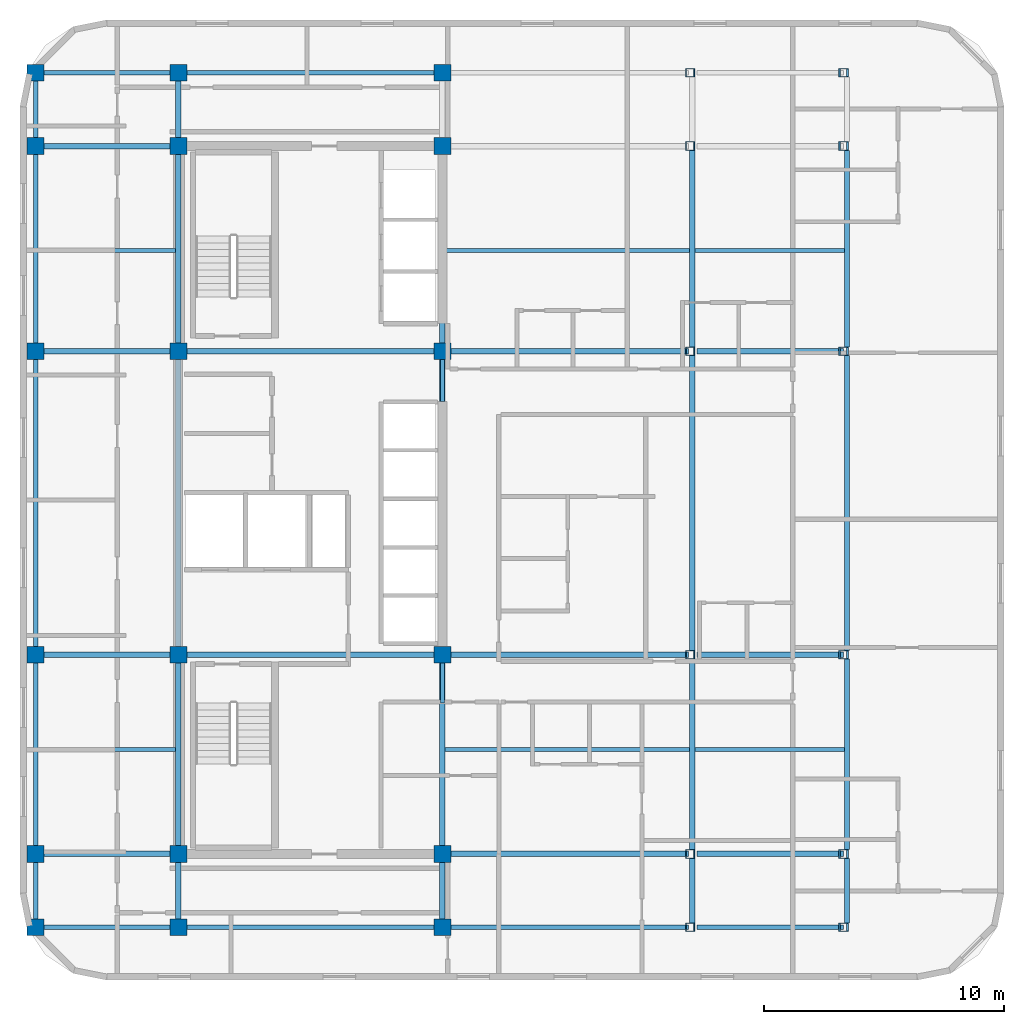
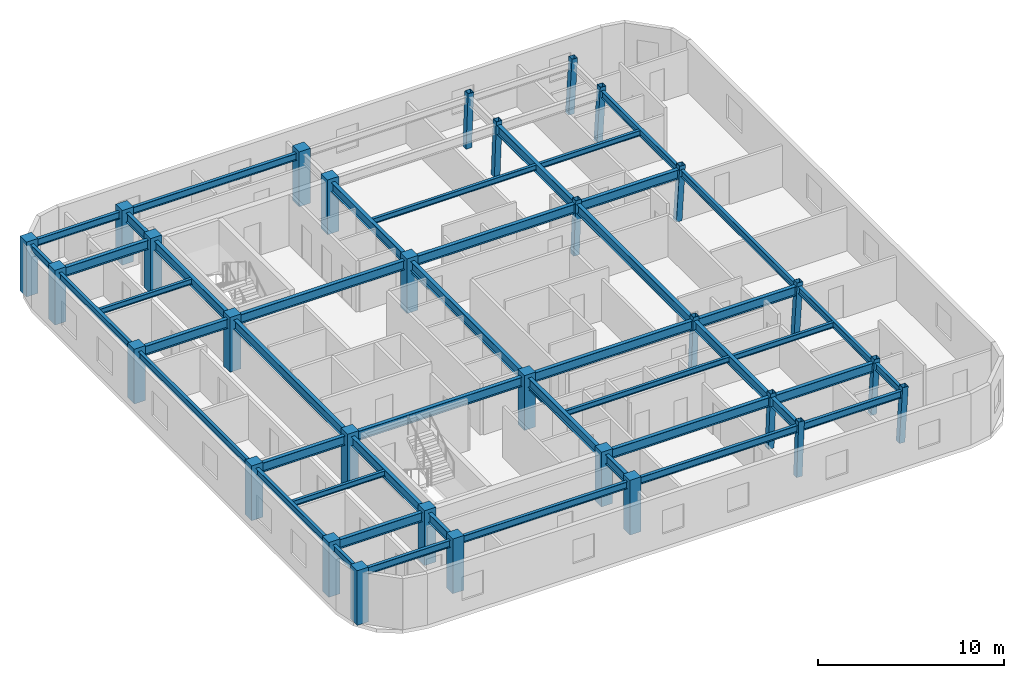
# One storey, part 1 of 8: 48 beams, 30 columns.
"""IFC4 building model written with IfcOpenShell, lengths in metres."""

import ifcopenshell
import ifcopenshell.guid

model = None  # the IFC model being written
_history = None  # IfcOwnerHistory: only IFC2X3 demands one
_inside = {}  # id of a spatial element -> (the spatial element, [elements in it])
_under = {}  # id of a project, library or spatial element -> (it, [spatial elements below it])
_declared = {}  # id of a project -> (the project, [libraries it declares])
_typed = {}  # id of a type object -> (the type object, [elements of that type])
_made_of = {}  # id of a material, layer set ... -> (it, [elements and type objects made of it])


def new_model(schema):
    """Start an empty IFC model of exactly this schema.

    Asked for "IFC4X3", IfcOpenShell would pick the latest addendum, in which some entities
    have other attributes; the version numbers below select the first issue.
    IFC2X3 requires an IfcOwnerHistory on every rooted entity: one is made here for all.
    """
    global model, _history
    if schema == "IFC4X3":
        model = ifcopenshell.file(schema_version=(4, 3, 0, 0))
    else:
        model = ifcopenshell.file(schema=schema)
    _inside.clear()
    _under.clear()
    _declared.clear()
    _typed.clear()
    _made_of.clear()
    _history = None
    if model.schema == "IFC2X3":
        org = make("IfcOrganization", Name="unknown")
        user = make(
            "IfcPersonAndOrganization",
            ThePerson=make("IfcPerson", FamilyName="unknown"),
            TheOrganization=org,
        )
        app = make(
            "IfcApplication",
            ApplicationDeveloper=org,
            Version="unknown",
            ApplicationFullName="unknown",
            ApplicationIdentifier="unknown",
        )
        _history = make(
            "IfcOwnerHistory",
            OwningUser=user,
            OwningApplication=app,
            ChangeAction="ADDED",
            CreationDate=0,
        )
    return model


def make(cls, **values):
    """One entity of the class cls with the attributes given. An attribute that is None is left unset."""
    return model.create_entity(
        cls, **{name: value for name, value in values.items() if value is not None}
    )


def rooted(cls, **values):
    """An entity with a GlobalId (a new one), such as an element, a storey or a relation."""
    return make(cls, GlobalId=ifcopenshell.guid.new(), OwnerHistory=_history, **values)


def si_unit(unit_type, name, prefix=None):
    """IfcSIUnit, for example si_unit("LENGTHUNIT", "METRE", prefix="MILLI")."""
    return make("IfcSIUnit", UnitType=unit_type, Prefix=prefix, Name=name)


def assignment(units):
    """IfcUnitAssignment: the units of a project."""
    return None if units is None else make("IfcUnitAssignment", Units=units)


def point(xyz):
    """IfcCartesianPoint."""
    return None if xyz is None else make("IfcCartesianPoint", Coordinates=xyz)


def direction(xyz):
    """IfcDirection."""
    return None if xyz is None else make("IfcDirection", DirectionRatios=xyz)


def frame(location, z_axis=None, x_axis=None):
    """IfcAxis2Placement3D, a coordinate frame: its origin and axes. An axis left out is left unset."""
    return make(
        "IfcAxis2Placement3D",
        Location=point(location),
        Axis=direction(z_axis),
        RefDirection=direction(x_axis),
    )


def frame_2d(location, x_axis=None):
    """IfcAxis2Placement2D, a coordinate frame in the plane: its origin and x axis."""
    return make(
        "IfcAxis2Placement2D", Location=point(location), RefDirection=direction(x_axis)
    )


def origin():
    """The frame at (0, 0, 0) with its axes left unset."""
    return frame((0.0, 0.0, 0.0))


def origin_2d():
    """The frame at (0, 0) in the plane with its x axis left unset."""
    return frame_2d((0.0, 0.0))


def place(relative_to, where):
    """IfcLocalPlacement: puts the frame where relative to a parent placement (None: the world)."""
    return make(
        "IfcLocalPlacement", PlacementRelTo=relative_to, RelativePlacement=where
    )


def context(
    kind, dimensions, precision=None, world=None, true_north=None, identifier=None
):
    """IfcGeometricRepresentationContext, for example the 3D "Model" context."""
    return make(
        "IfcGeometricRepresentationContext",
        ContextIdentifier=identifier,
        ContextType=kind,
        CoordinateSpaceDimension=dimensions,
        Precision=precision,
        WorldCoordinateSystem=world,
        TrueNorth=true_north,
    )


def subcontext(parent, identifier, kind, view, scale=None):
    """IfcGeometricRepresentationSubContext, for example "Body" below "Model"."""
    return make(
        "IfcGeometricRepresentationSubContext",
        ContextIdentifier=identifier,
        ContextType=kind,
        ParentContext=parent,
        TargetScale=scale,
        TargetView=view,
    )


def project(units=None, contexts=None):
    """IfcProject with its units and contexts."""
    return rooted(
        "IfcProject",
        Name="project",
        RepresentationContexts=contexts,
        UnitsInContext=assignment(units),
    )


def spatial(cls, under=None, at=None, **own):
    """A site, building, storey or space (cls), placed at a placement, below another one or the project."""
    s = rooted(cls, ObjectPlacement=at, **own)
    if under is not None:
        _under.setdefault(under.id(), (under, []))[1].append(s)
    return s


def profile(cls, at=None, kind="AREA", **sizes):
    """A parametric profile (cls). Its sizes go by their IFC names, for example OverallWidth=200.0."""
    return make(cls, ProfileType=kind, Position=at, **sizes)


def rectangle(**sizes):
    """IfcRectangleProfileDef."""
    return profile("IfcRectangleProfileDef", **sizes)


def hollow_rectangle(**sizes):
    """IfcRectangleHollowProfileDef."""
    return profile("IfcRectangleHollowProfileDef", **sizes)


def i_section(**sizes):
    """IfcIShapeProfileDef."""
    return profile("IfcIShapeProfileDef", **sizes)


def extrude(swept, where, along, depth):
    """IfcExtrudedAreaSolid: the profile swept, set in the frame where, extruded along a direction by depth."""
    return make(
        "IfcExtrudedAreaSolid",
        SweptArea=swept,
        Position=where,
        ExtrudedDirection=direction(along),
        Depth=depth,
    )


def shape(context_of_items, identifier, shape_type, items):
    """IfcShapeRepresentation: the items that make up one representation, for example the "Body"."""
    return make(
        "IfcShapeRepresentation",
        ContextOfItems=context_of_items,
        RepresentationIdentifier=identifier,
        RepresentationType=shape_type,
        Items=items,
    )


def material(Name=None, Category=None):
    """IfcMaterial."""
    return make("IfcMaterial", Name=Name, Category=Category)


def material_profile(
    of_material, cross_section, Name=None, Category=None, Priority=None
):
    """IfcMaterialProfile: a cross section and its material."""
    return make(
        "IfcMaterialProfile",
        Name=Name,
        Material=of_material,
        Profile=cross_section,
        Priority=Priority,
        Category=Category,
    )


def profile_set(profiles, Name=None, composite=None):
    """IfcMaterialProfileSet."""
    return make(
        "IfcMaterialProfileSet",
        Name=Name,
        MaterialProfiles=profiles,
        CompositeProfile=composite,
    )


def made_of(thing, what):
    """Note that an element or type object is made of a material, layer set ...; save() writes the relation."""
    if what is not None:
        _made_of.setdefault(what.id(), (what, []))[1].append(thing)
    return thing


def type_object(cls, material=None, **own):
    """A type object (cls), such as IfcWallType, which elements share."""
    return made_of(rooted(cls, **own), material)


def element(
    cls,
    number,
    at=None,
    inside=None,
    cuts=None,
    type_object=None,
    material=None,
    context=None,
    identifier="Body",
    shape_type=None,
    held_by="IfcProductDefinitionShape",
    body=None,
    shapes=None,
    **own,
):
    """One element of the class cls, such as IfcWall. Its Tag is "e" and its number.

    at: its placement. inside: the storey or other place that contains it. cuts: it is an
    opening in that element (IfcRelVoidsElement). A single representation is given by context,
    identifier, shape_type and body (its items); several are given by shapes. held_by: the class
    of the entity that holds the representations. save() writes the other relations.
    """
    e = rooted(cls, Tag="e%d" % number, ObjectPlacement=at, **own)
    if body is not None:
        shapes = [shape(context, identifier, shape_type, body)]
    if shapes is not None:
        e.Representation = make(held_by, Representations=shapes)
    if inside is not None:
        _inside.setdefault(inside.id(), (inside, []))[1].append(e)
    if cuts is not None:
        rooted(
            "IfcRelVoidsElement", RelatingBuildingElement=cuts, RelatedOpeningElement=e
        )
    if type_object is not None:
        _typed.setdefault(type_object.id(), (type_object, []))[1].append(e)
    return made_of(e, material)


def aggregate(whole, parts):
    """IfcRelAggregates: a whole, such as a stair, and the parts it consists of."""
    return rooted("IfcRelAggregates", RelatingObject=whole, RelatedObjects=parts)


def save(model, path):
    """Write the relations noted so far, then the file.

    IfcRelAggregates (storeys below a building ...), IfcRelContainedInSpatialStructure (elements
    in a storey), IfcRelDefinesByType, IfcRelAssociatesMaterial and IfcRelDeclares: one each for
    every whole, place, type object, material and project.
    """
    for whole, parts in _under.values():
        aggregate(whole, parts)
    for where, things in _inside.values():
        rooted(
            "IfcRelContainedInSpatialStructure",
            RelatedElements=things,
            RelatingStructure=where,
        )
    for kind, things in _typed.values():
        rooted("IfcRelDefinesByType", RelatedObjects=things, RelatingType=kind)
    for what, things in _made_of.values():
        rooted("IfcRelAssociatesMaterial", RelatedObjects=things, RelatingMaterial=what)
    for by, libraries in _declared.values():
        rooted("IfcRelDeclares", RelatingContext=by, RelatedDefinitions=libraries)
    model.write(path)


model = new_model("IFC4")

# Units and contexts
model_context = context("Model", 3, precision=1e-05, world=origin(), true_north=direction((0.0, 1.0)))
body_context = subcontext(model_context, "Body", "Model", "MODEL_VIEW")
ifc_project = project(units=[si_unit("LENGTHUNIT", "METRE"), si_unit("AREAUNIT", "SQUARE_METRE"), si_unit("VOLUMEUNIT", "CUBIC_METRE"), si_unit("PLANEANGLEUNIT", "RADIAN"), si_unit("MASSUNIT", "GRAM", prefix="KILO")], contexts=[model_context])

# Site, building, storey
site_placement = place(None, origin())
site = spatial("IfcSite", under=ifc_project, at=site_placement, CompositionType="ELEMENT")
building_placement = place(site_placement, origin())
building = spatial("IfcBuilding", under=site, at=building_placement, Name="Ochreholt Gables", CompositionType="ELEMENT")
storey_placement = place(building_placement, frame((0.0, 0.0, 159.0)))
storey = spatial("IfcBuildingStorey", under=building, at=storey_placement, Name="L41", CompositionType="ELEMENT", Elevation=159.0)

# Columns
ifc_material_1 = material(Name="Steel CSA G40.21 350W", Category="steel")
ifc_material_profile_1 = material_profile(ifc_material_1, hollow_rectangle(XDim=0.35595703125, YDim=0.35595703125, WallThickness=0.01611328125, at=origin_2d()), Name="HSS356X356X16")
ifc_profile_set_1 = profile_set([ifc_material_profile_1], Name="Steel CSA G40.21 350W")
column_type_1 = type_object("IfcColumnType", Name="COL-HSS356-RAK", PredefinedType="COLUMN", material=ifc_profile_set_1)
for number, where, z_axis, x_axis, name in (
    (1, (45.5009765625, 9.25, 0.0), (0.034971136209, 0.0, 0.999388322742), (0.0, 1.0, 0.0), "L41 Column EMY2"),
    (2, (45.5009765625, 17.550048828125, 0.0), (0.034971136209, 0.0, 0.999388322742), (0.0, 1.0, 0.0), "L41 Column EMY3"),
    (3, (45.5009765625, 30.199951171875, 0.0), (0.034971136209, 0.0, 0.999388322742), (0.0, 1.0, 0.0), "L41 Column EMY4"),
    (4, (45.5009765625, 38.75, 0.0), (0.034971136209, 0.0, 0.999388322742), (0.0, 1.0, 0.0), "L41 Column EMY5"),
):
    element("IfcColumn", number, at=place(storey_placement, frame(where, z_axis=z_axis, x_axis=x_axis)), inside=storey, type_object=column_type_1, Name=name, PredefinedType="COLUMN", context=body_context, shape_type="SweptSolid", body=[
        extrude(hollow_rectangle(XDim=0.35595703125, YDim=0.35595703125, WallThickness=0.01611328125, at=origin_2d()), origin(), (0.0, 0.0, 1.0), 3.602294921875),
    ])
ifc_material_profile_2 = material_profile(ifc_material_1, hollow_rectangle(XDim=0.35595703125, YDim=0.35595703125, WallThickness=0.01611328125, at=origin_2d()), Name="HSS356X356X16")
ifc_profile_set_2 = profile_set([ifc_material_profile_2], Name="Steel CSA G40.21 350W")
column_type_2 = type_object("IfcColumnType", Name="COL-HSS356-RAKE", PredefinedType="COLUMN", material=ifc_profile_set_2)
for number, where, z_axis, x_axis, name in (
    (5, (45.5009765625, 6.199951171875, 0.0), (0.034971136209, 0.0, 0.999388322742), (0.0, 1.0, 0.0), "L41 Column EMY1"),
    (6, (45.5009765625, 41.800048828125, 0.0), (0.034971136209, 0.0, 0.999388322742), (0.0, 1.0, 0.0), "L41 Column EMY6"),
):
    element("IfcColumn", number, at=place(storey_placement, frame(where, z_axis=z_axis, x_axis=x_axis)), inside=storey, type_object=column_type_2, Name=name, PredefinedType="COLUMN", context=body_context, shape_type="SweptSolid", body=[
        extrude(hollow_rectangle(XDim=0.35595703125, YDim=0.35595703125, WallThickness=0.01611328125, at=origin_2d()), origin(), (0.0, 0.0, 1.0), 3.602294921875),
    ])
for number, where, z_axis, x_axis, name in (
    (7, (51.87890625, 6.199951171875, 0.0), (0.057884606321, 0.0, 0.998323280481), (0.0, 1.0, 0.0), "L41 Column EEY1"),
    (8, (51.87890625, 9.25, 0.0), (0.057884606321, 0.0, 0.998323280481), (0.0, 1.0, 0.0), "L41 Column EEY2"),
    (9, (51.87890625, 17.550048828125, 0.0), (0.057884606321, 0.0, 0.998323280481), (0.0, 1.0, 0.0), "L41 Column EEY3"),
    (10, (51.87890625, 30.199951171875, 0.0), (0.057884606321, 0.0, 0.998323280481), (0.0, 1.0, 0.0), "L41 Column EEY4"),
    (11, (51.87890625, 38.75, 0.0), (0.057884606321, 0.0, 0.998323280481), (0.0, 1.0, 0.0), "L41 Column EEY5"),
    (12, (51.87890625, 41.800048828125, 0.0), (0.057884606321, 0.0, 0.998323280481), (0.0, 1.0, 0.0), "L41 Column EEY6"),
):
    element("IfcColumn", number, at=place(storey_placement, frame(where, z_axis=z_axis, x_axis=x_axis)), inside=storey, type_object=column_type_2, Name=name, PredefinedType="COLUMN", context=body_context, shape_type="SweptSolid", body=[
        extrude(hollow_rectangle(XDim=0.35595703125, YDim=0.35595703125, WallThickness=0.01611328125, at=origin_2d()), origin(), (0.0, 0.0, 1.0), 3.606201171875),
    ])
ifc_material_2 = material(Name="Concrete 50 MPa", Category="concrete")
ifc_material_profile_3 = material_profile(ifc_material_2, rectangle(XDim=0.699951171875, YDim=0.699951171875, at=origin_2d()), Name="RC700X700")
ifc_profile_set_3 = profile_set([ifc_material_profile_3], Name="Concrete 50 MPa")
column_type_3 = type_object("IfcColumnType", Name="COL-RC700-EXT", PredefinedType="COLUMN", material=ifc_profile_set_3)
for number, where, z_axis, x_axis, name in (
    (13, (18.25, 6.199951171875, 0.0), (0.0, 0.0, 1.0), (1.0, 0.0, 0.0), "L41 Column W3Y1"),
    (14, (18.25, 9.25, 0.0), (0.0, 0.0, 1.0), (1.0, 0.0, 0.0), "L41 Column W3Y2"),
    (15, (18.25, 17.550048828125, 0.0), (0.0, 0.0, 1.0), (1.0, 0.0, 0.0), "L41 Column W3Y3"),
    (16, (18.25, 30.199951171875, 0.0), (0.0, 0.0, 1.0), (1.0, 0.0, 0.0), "L41 Column W3Y4"),
    (17, (18.25, 38.75, 0.0), (0.0, 0.0, 1.0), (1.0, 0.0, 0.0), "L41 Column W3Y5"),
    (18, (18.25, 41.800048828125, 0.0), (0.0, 0.0, 1.0), (1.0, 0.0, 0.0), "L41 Column W3Y6"),
    (19, (24.199951171875, 6.199951171875, 0.0), (0.0, 0.0, 1.0), (1.0, 0.0, 0.0), "L41 Column C1Y1"),
    (20, (24.199951171875, 41.800048828125, 0.0), (0.0, 0.0, 1.0), (1.0, 0.0, 0.0), "L41 Column C1Y6"),
    (21, (35.199951171875, 6.199951171875, 0.0), (0.0, 0.0, 1.0), (1.0, 0.0, 0.0), "L41 Column C2Y1"),
    (22, (35.199951171875, 41.800048828125, 0.0), (0.0, 0.0, 1.0), (1.0, 0.0, 0.0), "L41 Column C2Y6"),
):
    element("IfcColumn", number, at=place(storey_placement, frame(where, z_axis=z_axis, x_axis=x_axis)), inside=storey, type_object=column_type_3, Name=name, PredefinedType="COLUMN", context=body_context, shape_type="SweptSolid", body=[
        extrude(rectangle(XDim=0.699951171875, YDim=0.699951171875, at=origin_2d()), origin(), (0.0, 0.0, 1.0), 3.60009765625),
    ])
ifc_material_profile_4 = material_profile(ifc_material_2, rectangle(XDim=0.699951171875, YDim=0.699951171875, at=origin_2d()), Name="RC700X700")
ifc_profile_set_4 = profile_set([ifc_material_profile_4], Name="Concrete 50 MPa")
column_type_4 = type_object("IfcColumnType", Name="COL-RC700-INT", PredefinedType="COLUMN", material=ifc_profile_set_4)
for number, where, z_axis, x_axis, name in (
    (23, (24.199951171875, 9.25, 0.0), (0.0, 0.0, 1.0), (1.0, 0.0, 0.0), "L41 Column C1Y2"),
    (24, (24.199951171875, 17.550048828125, 0.0), (0.0, 0.0, 1.0), (1.0, 0.0, 0.0), "L41 Column C1Y3"),
    (25, (24.199951171875, 30.199951171875, 0.0), (0.0, 0.0, 1.0), (1.0, 0.0, 0.0), "L41 Column C1Y4"),
    (26, (24.199951171875, 38.75, 0.0), (0.0, 0.0, 1.0), (1.0, 0.0, 0.0), "L41 Column C1Y5"),
    (27, (35.199951171875, 9.25, 0.0), (0.0, 0.0, 1.0), (1.0, 0.0, 0.0), "L41 Column C2Y2"),
    (28, (35.199951171875, 17.550048828125, 0.0), (0.0, 0.0, 1.0), (1.0, 0.0, 0.0), "L41 Column C2Y3"),
    (29, (35.199951171875, 30.199951171875, 0.0), (0.0, 0.0, 1.0), (1.0, 0.0, 0.0), "L41 Column C2Y4"),
    (30, (35.199951171875, 38.75, 0.0), (0.0, 0.0, 1.0), (1.0, 0.0, 0.0), "L41 Column C2Y5"),
):
    element("IfcColumn", number, at=place(storey_placement, frame(where, z_axis=z_axis, x_axis=x_axis)), inside=storey, type_object=column_type_4, Name=name, PredefinedType="COLUMN", context=body_context, shape_type="SweptSolid", body=[
        extrude(rectangle(XDim=0.699951171875, YDim=0.699951171875, at=origin_2d()), origin(), (0.0, 0.0, 1.0), 3.60009765625),
    ])

# Beams
ifc_material_profile_5 = material_profile(ifc_material_1, i_section(OverallWidth=0.22900390625, OverallDepth=0.612060546875, WebThickness=0.011962890625, FlangeThickness=0.01953125, at=origin_2d()), Name="W610X125")
ifc_profile_set_5 = profile_set([ifc_material_profile_5], Name="Steel CSA G40.21 350W")
beam_type_1 = type_object("IfcBeamType", Name="BM-G-W610B", PredefinedType="BEAM", material=ifc_profile_set_5)
beam_1_placement = place(storey_placement, frame((18.599609375, 9.25, 3.053955078125), z_axis=(1.0, 0.0, 0.0), x_axis=(0.0, 1.0, 0.0)))
element("IfcBeam", 31, at=beam_1_placement, inside=storey, type_object=beam_type_1, Name="L41 Beam TBG-L41-W3C1-Y2", PredefinedType="BEAM", context=body_context, shape_type="SweptSolid", body=[
    extrude(i_section(OverallWidth=0.22900390625, OverallDepth=0.612060546875, WebThickness=0.011962890625, FlangeThickness=0.01953125, at=origin_2d()), origin(), (0.0, 0.0, 1.0), 5.250732421875),
])
beam_2_placement = place(storey_placement, frame((35.549560546875, 9.25, 3.053955078125), z_axis=(1.0, 0.0, 0.0), x_axis=(0.0, 1.0, 0.0)))
element("IfcBeam", 32, at=beam_2_placement, inside=storey, type_object=beam_type_1, Name="L41 Beam TBG-L41-C2EM-Y2", PredefinedType="BEAM", context=body_context, shape_type="SweptSolid", body=[
    extrude(i_section(OverallWidth=0.22900390625, OverallDepth=0.612060546875, WebThickness=0.011962890625, FlangeThickness=0.01953125, at=origin_2d()), origin(), (0.0, 0.0, 1.0), 9.89990234375),
])
beam_3_placement = place(storey_placement, frame((45.8046875, 9.25, 3.053955078125), z_axis=(1.0, 0.0, 0.0), x_axis=(0.0, 1.0, 0.0)))
element("IfcBeam", 33, at=beam_3_placement, inside=storey, type_object=beam_type_1, Name="L41 Beam TBG-L41-EMEE-Y2", PredefinedType="BEAM", context=body_context, shape_type="SweptSolid", body=[
    extrude(i_section(OverallWidth=0.22900390625, OverallDepth=0.612060546875, WebThickness=0.011962890625, FlangeThickness=0.01953125, at=origin_2d()), origin(), (0.0, 0.0, 1.0), 6.105224609375),
])
beam_4_placement = place(storey_placement, frame((18.599609375, 17.550048828125, 3.053955078125), z_axis=(1.0, 0.0, 0.0), x_axis=(0.0, 1.0, 0.0)))
element("IfcBeam", 34, at=beam_4_placement, inside=storey, type_object=beam_type_1, Name="L41 Beam TBG-L41-W3C1-Y3", PredefinedType="BEAM", context=body_context, shape_type="SweptSolid", body=[
    extrude(i_section(OverallWidth=0.22900390625, OverallDepth=0.612060546875, WebThickness=0.011962890625, FlangeThickness=0.01953125, at=origin_2d()), origin(), (0.0, 0.0, 1.0), 5.250732421875),
])
beam_5_placement = place(storey_placement, frame((24.549560546875, 17.550048828125, 3.053955078125), z_axis=(1.0, 0.0, 0.0), x_axis=(0.0, 1.0, 0.0)))
element("IfcBeam", 35, at=beam_5_placement, inside=storey, type_object=beam_type_1, Name="L41 Beam TBG-L41-C1C2-Y3", PredefinedType="BEAM", context=body_context, shape_type="SweptSolid", body=[
    extrude(i_section(OverallWidth=0.22900390625, OverallDepth=0.612060546875, WebThickness=0.011962890625, FlangeThickness=0.01953125, at=origin_2d()), origin(), (0.0, 0.0, 1.0), 10.30078125),
])
beam_6_placement = place(storey_placement, frame((35.549560546875, 17.550048828125, 3.053955078125), z_axis=(1.0, 0.0, 0.0), x_axis=(0.0, 1.0, 0.0)))
element("IfcBeam", 36, at=beam_6_placement, inside=storey, type_object=beam_type_1, Name="L41 Beam TBG-L41-C2EM-Y3", PredefinedType="BEAM", context=body_context, shape_type="SweptSolid", body=[
    extrude(i_section(OverallWidth=0.22900390625, OverallDepth=0.612060546875, WebThickness=0.011962890625, FlangeThickness=0.01953125, at=origin_2d()), origin(), (0.0, 0.0, 1.0), 9.89990234375),
])
beam_7_placement = place(storey_placement, frame((45.8046875, 17.550048828125, 3.053955078125), z_axis=(1.0, 0.0, 0.0), x_axis=(0.0, 1.0, 0.0)))
element("IfcBeam", 37, at=beam_7_placement, inside=storey, type_object=beam_type_1, Name="L41 Beam TBG-L41-EMEE-Y3", PredefinedType="BEAM", context=body_context, shape_type="SweptSolid", body=[
    extrude(i_section(OverallWidth=0.22900390625, OverallDepth=0.612060546875, WebThickness=0.011962890625, FlangeThickness=0.01953125, at=origin_2d()), origin(), (0.0, 0.0, 1.0), 6.105224609375),
])
beam_8_placement = place(storey_placement, frame((18.599609375, 30.199951171875, 3.053955078125), z_axis=(1.0, 0.0, 0.0), x_axis=(0.0, 1.0, 0.0)))
element("IfcBeam", 38, at=beam_8_placement, inside=storey, type_object=beam_type_1, Name="L41 Beam TBG-L41-W3C1-Y4", PredefinedType="BEAM", context=body_context, shape_type="SweptSolid", body=[
    extrude(i_section(OverallWidth=0.22900390625, OverallDepth=0.612060546875, WebThickness=0.011962890625, FlangeThickness=0.01953125, at=origin_2d()), origin(), (0.0, 0.0, 1.0), 5.250732421875),
])
beam_9_placement = place(storey_placement, frame((24.549560546875, 30.199951171875, 3.053955078125), z_axis=(1.0, 0.0, 0.0), x_axis=(0.0, 1.0, 0.0)))
element("IfcBeam", 39, at=beam_9_placement, inside=storey, type_object=beam_type_1, Name="L41 Beam TBG-L41-C1C2-Y4", PredefinedType="BEAM", context=body_context, shape_type="SweptSolid", body=[
    extrude(i_section(OverallWidth=0.22900390625, OverallDepth=0.612060546875, WebThickness=0.011962890625, FlangeThickness=0.01953125, at=origin_2d()), origin(), (0.0, 0.0, 1.0), 10.30078125),
])
beam_10_placement = place(storey_placement, frame((35.549560546875, 30.199951171875, 3.053955078125), z_axis=(1.0, 0.0, 0.0), x_axis=(0.0, 1.0, 0.0)))
element("IfcBeam", 40, at=beam_10_placement, inside=storey, type_object=beam_type_1, Name="L41 Beam TBG-L41-C2EM-Y4", PredefinedType="BEAM", context=body_context, shape_type="SweptSolid", body=[
    extrude(i_section(OverallWidth=0.22900390625, OverallDepth=0.612060546875, WebThickness=0.011962890625, FlangeThickness=0.01953125, at=origin_2d()), origin(), (0.0, 0.0, 1.0), 9.89990234375),
])
beam_11_placement = place(storey_placement, frame((45.8046875, 30.199951171875, 3.053955078125), z_axis=(1.0, 0.0, 0.0), x_axis=(0.0, 1.0, 0.0)))
element("IfcBeam", 41, at=beam_11_placement, inside=storey, type_object=beam_type_1, Name="L41 Beam TBG-L41-EMEE-Y4", PredefinedType="BEAM", context=body_context, shape_type="SweptSolid", body=[
    extrude(i_section(OverallWidth=0.22900390625, OverallDepth=0.612060546875, WebThickness=0.011962890625, FlangeThickness=0.01953125, at=origin_2d()), origin(), (0.0, 0.0, 1.0), 6.105224609375),
])
beam_12_placement = place(storey_placement, frame((18.599609375, 38.75, 3.053955078125), z_axis=(1.0, 0.0, 0.0), x_axis=(0.0, 1.0, 0.0)))
element("IfcBeam", 42, at=beam_12_placement, inside=storey, type_object=beam_type_1, Name="L41 Beam TBG-L41-W3C1-Y5", PredefinedType="BEAM", context=body_context, shape_type="SweptSolid", body=[
    extrude(i_section(OverallWidth=0.22900390625, OverallDepth=0.612060546875, WebThickness=0.011962890625, FlangeThickness=0.01953125, at=origin_2d()), origin(), (0.0, 0.0, 1.0), 5.250732421875),
])
beam_13_placement = place(storey_placement, frame((24.199951171875, 6.549560546875, 3.053955078125), z_axis=(0.0, 1.0, 0.0), x_axis=(-1.0, 0.0, 0.0)))
element("IfcBeam", 43, at=beam_13_placement, inside=storey, type_object=beam_type_1, Name="L41 Beam TBN-L41-C1-Y1Y2", PredefinedType="BEAM", context=body_context, shape_type="SweptSolid", body=[
    extrude(i_section(OverallWidth=0.22900390625, OverallDepth=0.612060546875, WebThickness=0.011962890625, FlangeThickness=0.01953125, at=origin_2d()), origin(), (0.0, 0.0, 1.0), 2.350830078125),
])
beam_14_placement = place(storey_placement, frame((24.199951171875, 9.599609375, 3.053955078125), z_axis=(0.0, 1.0, 0.0), x_axis=(-1.0, 0.0, 0.0)))
element("IfcBeam", 44, at=beam_14_placement, inside=storey, type_object=beam_type_1, Name="L41 Beam TBN-L41-C1-Y2Y3", PredefinedType="BEAM", context=body_context, shape_type="SweptSolid", body=[
    extrude(i_section(OverallWidth=0.22900390625, OverallDepth=0.612060546875, WebThickness=0.011962890625, FlangeThickness=0.01953125, at=origin_2d()), origin(), (0.0, 0.0, 1.0), 7.600830078125),
])
beam_15_placement = place(storey_placement, frame((24.199951171875, 17.899658203125, 3.053955078125), z_axis=(0.0, 1.0, 0.0), x_axis=(-1.0, 0.0, 0.0)))
element("IfcBeam", 45, at=beam_15_placement, inside=storey, type_object=beam_type_1, Name="L41 Beam TBN-L41-C1-Y3Y4", PredefinedType="BEAM", context=body_context, shape_type="SweptSolid", body=[
    extrude(i_section(OverallWidth=0.22900390625, OverallDepth=0.612060546875, WebThickness=0.011962890625, FlangeThickness=0.01953125, at=origin_2d()), origin(), (0.0, 0.0, 1.0), 11.95068359375),
])
beam_16_placement = place(storey_placement, frame((24.199951171875, 30.549560546875, 3.053955078125), z_axis=(0.0, 1.0, 0.0), x_axis=(-1.0, 0.0, 0.0)))
element("IfcBeam", 46, at=beam_16_placement, inside=storey, type_object=beam_type_1, Name="L41 Beam TBN-L41-C1-Y4Y5", PredefinedType="BEAM", context=body_context, shape_type="SweptSolid", body=[
    extrude(i_section(OverallWidth=0.22900390625, OverallDepth=0.612060546875, WebThickness=0.011962890625, FlangeThickness=0.01953125, at=origin_2d()), origin(), (0.0, 0.0, 1.0), 7.850830078125),
])
for number, where, z_axis, x_axis, name in (
    (47, (24.199951171875, 39.099609375, 3.053955078125), (0.0, 1.0, 0.0), (-1.0, 0.0, 0.0), "L41 Beam TBN-L41-C1-Y5Y6"),
    (48, (35.199951171875, 6.549560546875, 3.053955078125), (0.0, 1.0, 0.0), (-1.0, 0.0, 0.0), "L41 Beam TBN-L41-C2-Y1Y2"),
):
    element("IfcBeam", number, at=place(storey_placement, frame(where, z_axis=z_axis, x_axis=x_axis)), inside=storey, type_object=beam_type_1, Name=name, PredefinedType="BEAM", context=body_context, shape_type="SweptSolid", body=[
        extrude(i_section(OverallWidth=0.22900390625, OverallDepth=0.612060546875, WebThickness=0.011962890625, FlangeThickness=0.01953125, at=origin_2d()), origin(), (0.0, 0.0, 1.0), 2.350830078125),
    ])
beam_17_placement = place(storey_placement, frame((35.199951171875, 9.599609375, 3.053955078125), z_axis=(0.0, 1.0, 0.0), x_axis=(-1.0, 0.0, 0.0)))
element("IfcBeam", 49, at=beam_17_placement, inside=storey, type_object=beam_type_1, Name="L41 Beam TBN-L41-C2-Y2Y3", PredefinedType="BEAM", context=body_context, shape_type="SweptSolid", body=[
    extrude(i_section(OverallWidth=0.22900390625, OverallDepth=0.612060546875, WebThickness=0.011962890625, FlangeThickness=0.01953125, at=origin_2d()), origin(), (0.0, 0.0, 1.0), 7.600830078125),
])
beam_18_placement = place(storey_placement, frame((35.199951171875, 17.899658203125, 3.053955078125), z_axis=(0.0, 1.0, 0.0), x_axis=(-1.0, 0.0, 0.0)))
element("IfcBeam", 50, at=beam_18_placement, inside=storey, type_object=beam_type_1, Name="L41 Beam TBN-L41-C2-Y3Y4", PredefinedType="BEAM", context=body_context, shape_type="SweptSolid", body=[
    extrude(i_section(OverallWidth=0.22900390625, OverallDepth=0.612060546875, WebThickness=0.011962890625, FlangeThickness=0.01953125, at=origin_2d()), origin(), (0.0, 0.0, 1.0), 11.95068359375),
])
beam_19_placement = place(storey_placement, frame((35.199951171875, 30.549560546875, 3.053955078125), z_axis=(0.0, 1.0, 0.0), x_axis=(-1.0, 0.0, 0.0)))
element("IfcBeam", 51, at=beam_19_placement, inside=storey, type_object=beam_type_1, Name="L41 Beam TBN-L41-C2-Y4Y5", PredefinedType="BEAM", context=body_context, shape_type="SweptSolid", body=[
    extrude(i_section(OverallWidth=0.22900390625, OverallDepth=0.612060546875, WebThickness=0.011962890625, FlangeThickness=0.01953125, at=origin_2d()), origin(), (0.0, 0.0, 1.0), 7.850830078125),
])
beam_20_placement = place(storey_placement, frame((45.60986328125, 6.377685546875, 3.053955078125), z_axis=(0.0, 1.0, 0.0), x_axis=(-1.0, 0.0, 0.0)))
element("IfcBeam", 52, at=beam_20_placement, inside=storey, type_object=beam_type_1, Name="L41 Beam TBN-L41-EM-Y1Y2", PredefinedType="BEAM", context=body_context, shape_type="SweptSolid", body=[
    extrude(i_section(OverallWidth=0.22900390625, OverallDepth=0.612060546875, WebThickness=0.011962890625, FlangeThickness=0.01953125, at=origin_2d()), origin(), (0.0, 0.0, 1.0), 2.69482421875),
])
beam_21_placement = place(storey_placement, frame((45.60986328125, 9.427490234375, 3.053955078125), z_axis=(0.0, 1.0, 0.0), x_axis=(-1.0, 0.0, 0.0)))
element("IfcBeam", 53, at=beam_21_placement, inside=storey, type_object=beam_type_1, Name="L41 Beam TBN-L41-EM-Y2Y3", PredefinedType="BEAM", context=body_context, shape_type="SweptSolid", body=[
    extrude(i_section(OverallWidth=0.22900390625, OverallDepth=0.612060546875, WebThickness=0.011962890625, FlangeThickness=0.01953125, at=origin_2d()), origin(), (0.0, 0.0, 1.0), 7.94482421875),
])
beam_22_placement = place(storey_placement, frame((45.60986328125, 17.7275390625, 3.053955078125), z_axis=(0.0, 1.0, 0.0), x_axis=(-1.0, 0.0, 0.0)))
element("IfcBeam", 54, at=beam_22_placement, inside=storey, type_object=beam_type_1, Name="L41 Beam TBN-L41-EM-Y3Y4", PredefinedType="BEAM", context=body_context, shape_type="SweptSolid", body=[
    extrude(i_section(OverallWidth=0.22900390625, OverallDepth=0.612060546875, WebThickness=0.011962890625, FlangeThickness=0.01953125, at=origin_2d()), origin(), (0.0, 0.0, 1.0), 12.294921875),
])
beam_23_placement = place(storey_placement, frame((45.60986328125, 30.377685546875, 3.053955078125), z_axis=(0.0, 1.0, 0.0), x_axis=(-1.0, 0.0, 0.0)))
element("IfcBeam", 55, at=beam_23_placement, inside=storey, type_object=beam_type_1, Name="L41 Beam TBN-L41-EM-Y4Y5", PredefinedType="BEAM", context=body_context, shape_type="SweptSolid", body=[
    extrude(i_section(OverallWidth=0.22900390625, OverallDepth=0.612060546875, WebThickness=0.011962890625, FlangeThickness=0.01953125, at=origin_2d()), origin(), (0.0, 0.0, 1.0), 8.19482421875),
])
ifc_material_profile_6 = material_profile(ifc_material_1, i_section(OverallWidth=0.172119140625, OverallDepth=0.35791015625, WebThickness=0.0078125, FlangeThickness=0.01318359375, at=origin_2d()), Name="W360X57")
ifc_profile_set_6 = profile_set([ifc_material_profile_6], Name="Steel CSA G40.21 350W")
beam_type_2 = type_object("IfcBeamType", Name="BM-J-W360B", PredefinedType="JOIST", material=ifc_profile_set_6)
beam_24_placement = place(storey_placement, frame((18.345703125, 13.60009765625, 3.180908203125), z_axis=(1.0, 0.0, 0.0), x_axis=(0.0, 1.0, 0.0)))
element("IfcBeam", 56, at=beam_24_placement, inside=storey, type_object=beam_type_2, Name="L41 Beam TBJ-L41-J1-W3C1", PredefinedType="JOIST", context=body_context, shape_type="SweptSolid", body=[
    extrude(i_section(OverallWidth=0.172119140625, OverallDepth=0.35791015625, WebThickness=0.0078125, FlangeThickness=0.01318359375, at=origin_2d()), origin(), (0.0, 0.0, 1.0), 5.740234375),
])
beam_25_placement = place(storey_placement, frame((35.314208984375, 13.60009765625, 3.180908203125), z_axis=(1.0, 0.0, 0.0), x_axis=(0.0, 1.0, 0.0)))
element("IfcBeam", 57, at=beam_25_placement, inside=storey, type_object=beam_type_2, Name="L41 Beam TBJ-L41-J1-C2EM", PredefinedType="JOIST", context=body_context, shape_type="SweptSolid", body=[
    extrude(i_section(OverallWidth=0.172119140625, OverallDepth=0.35791015625, WebThickness=0.0078125, FlangeThickness=0.01318359375, at=origin_2d()), origin(), (0.0, 0.0, 1.0), 10.181640625),
])
beam_26_placement = place(storey_placement, frame((45.72412109375, 13.60009765625, 3.180908203125), z_axis=(1.0, 0.0, 0.0), x_axis=(0.0, 1.0, 0.0)))
element("IfcBeam", 58, at=beam_26_placement, inside=storey, type_object=beam_type_2, Name="L41 Beam TBJ-L41-J1-EMEE", PredefinedType="JOIST", context=body_context, shape_type="SweptSolid", body=[
    extrude(i_section(OverallWidth=0.172119140625, OverallDepth=0.35791015625, WebThickness=0.0078125, FlangeThickness=0.01318359375, at=origin_2d()), origin(), (0.0, 0.0, 1.0), 6.239501953125),
])
beam_27_placement = place(storey_placement, frame((18.345703125, 34.39990234375, 3.180908203125), z_axis=(1.0, 0.0, 0.0), x_axis=(0.0, 1.0, 0.0)))
element("IfcBeam", 59, at=beam_27_placement, inside=storey, type_object=beam_type_2, Name="L41 Beam TBJ-L41-J2-W3C1", PredefinedType="JOIST", context=body_context, shape_type="SweptSolid", body=[
    extrude(i_section(OverallWidth=0.172119140625, OverallDepth=0.35791015625, WebThickness=0.0078125, FlangeThickness=0.01318359375, at=origin_2d()), origin(), (0.0, 0.0, 1.0), 5.740234375),
])
beam_28_placement = place(storey_placement, frame((35.314208984375, 34.39990234375, 3.180908203125), z_axis=(1.0, 0.0, 0.0), x_axis=(0.0, 1.0, 0.0)))
element("IfcBeam", 60, at=beam_28_placement, inside=storey, type_object=beam_type_2, Name="L41 Beam TBJ-L41-J2-C2EM", PredefinedType="JOIST", context=body_context, shape_type="SweptSolid", body=[
    extrude(i_section(OverallWidth=0.172119140625, OverallDepth=0.35791015625, WebThickness=0.0078125, FlangeThickness=0.01318359375, at=origin_2d()), origin(), (0.0, 0.0, 1.0), 10.181640625),
])
beam_29_placement = place(storey_placement, frame((45.72412109375, 34.39990234375, 3.180908203125), z_axis=(1.0, 0.0, 0.0), x_axis=(0.0, 1.0, 0.0)))
element("IfcBeam", 61, at=beam_29_placement, inside=storey, type_object=beam_type_2, Name="L41 Beam TBJ-L41-J2-EMEE", PredefinedType="JOIST", context=body_context, shape_type="SweptSolid", body=[
    extrude(i_section(OverallWidth=0.172119140625, OverallDepth=0.35791015625, WebThickness=0.0078125, FlangeThickness=0.01318359375, at=origin_2d()), origin(), (0.0, 0.0, 1.0), 6.239501953125),
])
ifc_material_profile_7 = material_profile(ifc_material_1, i_section(OverallWidth=0.1650390625, OverallDepth=0.200927734375, WebThickness=0.006103515625, FlangeThickness=0.01025390625, at=origin_2d()), Name="W200X36")
ifc_profile_set_7 = profile_set([ifc_material_profile_7], Name="Steel CSA G40.21 350W")
beam_type_3 = type_object("IfcBeamType", Name="BM-LIN-W200", PredefinedType="LINTEL", material=ifc_profile_set_7)
beam_30_placement = place(storey_placement, frame((35.2099609375, 15.550048828125, 2.6474609375), z_axis=(0.0, 1.0, 0.0), x_axis=(-1.0, 0.0, 0.0)))
element("IfcBeam", 62, at=beam_30_placement, inside=storey, type_object=beam_type_3, Name="L41 Core Coupling Lintel CPS", PredefinedType="LINTEL", context=body_context, shape_type="SweptSolid", body=[
    extrude(i_section(OverallWidth=0.1650390625, OverallDepth=0.200927734375, WebThickness=0.006103515625, FlangeThickness=0.01025390625, at=origin_2d()), origin(), (0.0, 0.0, 1.0), 1.64990234375),
])
beam_31_placement = place(storey_placement, frame((35.2099609375, 28.10009765625, 2.6474609375), z_axis=(0.0, 1.0, 0.0), x_axis=(-1.0, 0.0, 0.0)))
element("IfcBeam", 63, at=beam_31_placement, inside=storey, type_object=beam_type_3, Name="L41 Core Coupling Lintel CPN", PredefinedType="LINTEL", context=body_context, shape_type="SweptSolid", body=[
    extrude(i_section(OverallWidth=0.1650390625, OverallDepth=0.200927734375, WebThickness=0.006103515625, FlangeThickness=0.01025390625, at=origin_2d()), origin(), (0.0, 0.0, 1.0), 1.75),
])
ifc_material_profile_8 = material_profile(ifc_material_1, i_section(OverallWidth=0.19189453125, OverallDepth=0.462890625, WebThickness=0.010498046875, FlangeThickness=0.017578125, at=origin_2d()), Name="W460X89")
ifc_profile_set_8 = profile_set([ifc_material_profile_8], Name="Steel CSA G40.21 350W")
beam_type_4 = type_object("IfcBeamType", Name="BM-SP-W460A", PredefinedType="SPANDREL", material=ifc_profile_set_8)
beam_32_placement = place(storey_placement, frame((18.599609375, 6.199951171875, 3.12841796875), z_axis=(1.0, 0.0, 0.0), x_axis=(0.0, 1.0, 0.0)))
element("IfcBeam", 64, at=beam_32_placement, inside=storey, type_object=beam_type_4, Name="L41 Beam TBG-L41-W3C1-Y1", PredefinedType="SPANDREL", context=body_context, shape_type="SweptSolid", body=[
    extrude(i_section(OverallWidth=0.19189453125, OverallDepth=0.462890625, WebThickness=0.010498046875, FlangeThickness=0.017578125, at=origin_2d()), origin(), (0.0, 0.0, 1.0), 5.250732421875),
])
beam_33_placement = place(storey_placement, frame((24.549560546875, 6.199951171875, 3.12841796875), z_axis=(1.0, 0.0, 0.0), x_axis=(0.0, 1.0, 0.0)))
element("IfcBeam", 65, at=beam_33_placement, inside=storey, type_object=beam_type_4, Name="L41 Beam TBG-L41-C1C2-Y1", PredefinedType="SPANDREL", context=body_context, shape_type="SweptSolid", body=[
    extrude(i_section(OverallWidth=0.19189453125, OverallDepth=0.462890625, WebThickness=0.010498046875, FlangeThickness=0.017578125, at=origin_2d()), origin(), (0.0, 0.0, 1.0), 10.30078125),
])
beam_34_placement = place(storey_placement, frame((35.549560546875, 6.199951171875, 3.12841796875), z_axis=(1.0, 0.0, 0.0), x_axis=(0.0, 1.0, 0.0)))
element("IfcBeam", 66, at=beam_34_placement, inside=storey, type_object=beam_type_4, Name="L41 Beam TBG-L41-C2EM-Y1", PredefinedType="SPANDREL", context=body_context, shape_type="SweptSolid", body=[
    extrude(i_section(OverallWidth=0.19189453125, OverallDepth=0.462890625, WebThickness=0.010498046875, FlangeThickness=0.017578125, at=origin_2d()), origin(), (0.0, 0.0, 1.0), 9.89990234375),
])
beam_35_placement = place(storey_placement, frame((45.8046875, 6.199951171875, 3.12841796875), z_axis=(1.0, 0.0, 0.0), x_axis=(0.0, 1.0, 0.0)))
element("IfcBeam", 67, at=beam_35_placement, inside=storey, type_object=beam_type_4, Name="L41 Beam TBG-L41-EMEE-Y1", PredefinedType="SPANDREL", context=body_context, shape_type="SweptSolid", body=[
    extrude(i_section(OverallWidth=0.19189453125, OverallDepth=0.462890625, WebThickness=0.010498046875, FlangeThickness=0.017578125, at=origin_2d()), origin(), (0.0, 0.0, 1.0), 6.105224609375),
])
beam_36_placement = place(storey_placement, frame((18.599609375, 41.800048828125, 3.12841796875), z_axis=(1.0, 0.0, 0.0), x_axis=(0.0, 1.0, 0.0)))
element("IfcBeam", 68, at=beam_36_placement, inside=storey, type_object=beam_type_4, Name="L41 Beam TBG-L41-W3C1-Y6", PredefinedType="SPANDREL", context=body_context, shape_type="SweptSolid", body=[
    extrude(i_section(OverallWidth=0.19189453125, OverallDepth=0.462890625, WebThickness=0.010498046875, FlangeThickness=0.017578125, at=origin_2d()), origin(), (0.0, 0.0, 1.0), 5.250732421875),
])
beam_37_placement = place(storey_placement, frame((24.549560546875, 41.800048828125, 3.12841796875), z_axis=(1.0, 0.0, 0.0), x_axis=(0.0, 1.0, 0.0)))
element("IfcBeam", 69, at=beam_37_placement, inside=storey, type_object=beam_type_4, Name="L41 Beam TBG-L41-C1C2-Y6", PredefinedType="SPANDREL", context=body_context, shape_type="SweptSolid", body=[
    extrude(i_section(OverallWidth=0.19189453125, OverallDepth=0.462890625, WebThickness=0.010498046875, FlangeThickness=0.017578125, at=origin_2d()), origin(), (0.0, 0.0, 1.0), 10.30078125),
])
beam_38_placement = place(storey_placement, frame((18.25, 6.549560546875, 3.12841796875), z_axis=(0.0, 1.0, 0.0), x_axis=(-1.0, 0.0, 0.0)))
element("IfcBeam", 70, at=beam_38_placement, inside=storey, type_object=beam_type_4, Name="L41 Beam TBN-L41-W3-Y1Y2", PredefinedType="SPANDREL", context=body_context, shape_type="SweptSolid", body=[
    extrude(i_section(OverallWidth=0.19189453125, OverallDepth=0.462890625, WebThickness=0.010498046875, FlangeThickness=0.017578125, at=origin_2d()), origin(), (0.0, 0.0, 1.0), 2.350830078125),
])
beam_39_placement = place(storey_placement, frame((18.25, 9.599609375, 3.12841796875), z_axis=(0.0, 1.0, 0.0), x_axis=(-1.0, 0.0, 0.0)))
element("IfcBeam", 71, at=beam_39_placement, inside=storey, type_object=beam_type_4, Name="L41 Beam TBN-L41-W3-Y2Y3", PredefinedType="SPANDREL", context=body_context, shape_type="SweptSolid", body=[
    extrude(i_section(OverallWidth=0.19189453125, OverallDepth=0.462890625, WebThickness=0.010498046875, FlangeThickness=0.017578125, at=origin_2d()), origin(), (0.0, 0.0, 1.0), 7.600830078125),
])
beam_40_placement = place(storey_placement, frame((18.25, 17.899658203125, 3.12841796875), z_axis=(0.0, 1.0, 0.0), x_axis=(-1.0, 0.0, 0.0)))
element("IfcBeam", 72, at=beam_40_placement, inside=storey, type_object=beam_type_4, Name="L41 Beam TBN-L41-W3-Y3Y4", PredefinedType="SPANDREL", context=body_context, shape_type="SweptSolid", body=[
    extrude(i_section(OverallWidth=0.19189453125, OverallDepth=0.462890625, WebThickness=0.010498046875, FlangeThickness=0.017578125, at=origin_2d()), origin(), (0.0, 0.0, 1.0), 11.95068359375),
])
beam_41_placement = place(storey_placement, frame((18.25, 30.549560546875, 3.12841796875), z_axis=(0.0, 1.0, 0.0), x_axis=(-1.0, 0.0, 0.0)))
element("IfcBeam", 73, at=beam_41_placement, inside=storey, type_object=beam_type_4, Name="L41 Beam TBN-L41-W3-Y4Y5", PredefinedType="SPANDREL", context=body_context, shape_type="SweptSolid", body=[
    extrude(i_section(OverallWidth=0.19189453125, OverallDepth=0.462890625, WebThickness=0.010498046875, FlangeThickness=0.017578125, at=origin_2d()), origin(), (0.0, 0.0, 1.0), 7.850830078125),
])
beam_42_placement = place(storey_placement, frame((18.25, 39.099609375, 3.12841796875), z_axis=(0.0, 1.0, 0.0), x_axis=(-1.0, 0.0, 0.0)))
element("IfcBeam", 74, at=beam_42_placement, inside=storey, type_object=beam_type_4, Name="L41 Beam TBN-L41-W3-Y5Y6", PredefinedType="SPANDREL", context=body_context, shape_type="SweptSolid", body=[
    extrude(i_section(OverallWidth=0.19189453125, OverallDepth=0.462890625, WebThickness=0.010498046875, FlangeThickness=0.017578125, at=origin_2d()), origin(), (0.0, 0.0, 1.0), 2.350830078125),
])
beam_43_placement = place(storey_placement, frame((52.05908203125, 6.377685546875, 3.12841796875), z_axis=(0.0, 1.0, 0.0), x_axis=(-1.0, 0.0, 0.0)))
element("IfcBeam", 75, at=beam_43_placement, inside=storey, type_object=beam_type_4, Name="L41 Beam TBN-L41-EE-Y1Y2", PredefinedType="SPANDREL", context=body_context, shape_type="SweptSolid", body=[
    extrude(i_section(OverallWidth=0.19189453125, OverallDepth=0.462890625, WebThickness=0.010498046875, FlangeThickness=0.017578125, at=origin_2d()), origin(), (0.0, 0.0, 1.0), 2.69482421875),
])
beam_44_placement = place(storey_placement, frame((52.05908203125, 9.427490234375, 3.12841796875), z_axis=(0.0, 1.0, 0.0), x_axis=(-1.0, 0.0, 0.0)))
element("IfcBeam", 76, at=beam_44_placement, inside=storey, type_object=beam_type_4, Name="L41 Beam TBN-L41-EE-Y2Y3", PredefinedType="SPANDREL", context=body_context, shape_type="SweptSolid", body=[
    extrude(i_section(OverallWidth=0.19189453125, OverallDepth=0.462890625, WebThickness=0.010498046875, FlangeThickness=0.017578125, at=origin_2d()), origin(), (0.0, 0.0, 1.0), 7.94482421875),
])
beam_45_placement = place(storey_placement, frame((52.05908203125, 17.7275390625, 3.12841796875), z_axis=(0.0, 1.0, 0.0), x_axis=(-1.0, 0.0, 0.0)))
element("IfcBeam", 77, at=beam_45_placement, inside=storey, type_object=beam_type_4, Name="L41 Beam TBN-L41-EE-Y3Y4", PredefinedType="SPANDREL", context=body_context, shape_type="SweptSolid", body=[
    extrude(i_section(OverallWidth=0.19189453125, OverallDepth=0.462890625, WebThickness=0.010498046875, FlangeThickness=0.017578125, at=origin_2d()), origin(), (0.0, 0.0, 1.0), 12.294921875),
])
beam_46_placement = place(storey_placement, frame((52.05908203125, 30.377685546875, 3.12841796875), z_axis=(0.0, 1.0, 0.0), x_axis=(-1.0, 0.0, 0.0)))
element("IfcBeam", 78, at=beam_46_placement, inside=storey, type_object=beam_type_4, Name="L41 Beam TBN-L41-EE-Y4Y5", PredefinedType="SPANDREL", context=body_context, shape_type="SweptSolid", body=[
    extrude(i_section(OverallWidth=0.19189453125, OverallDepth=0.462890625, WebThickness=0.010498046875, FlangeThickness=0.017578125, at=origin_2d()), origin(), (0.0, 0.0, 1.0), 8.19482421875),
])

save(model, "model.ifc")
